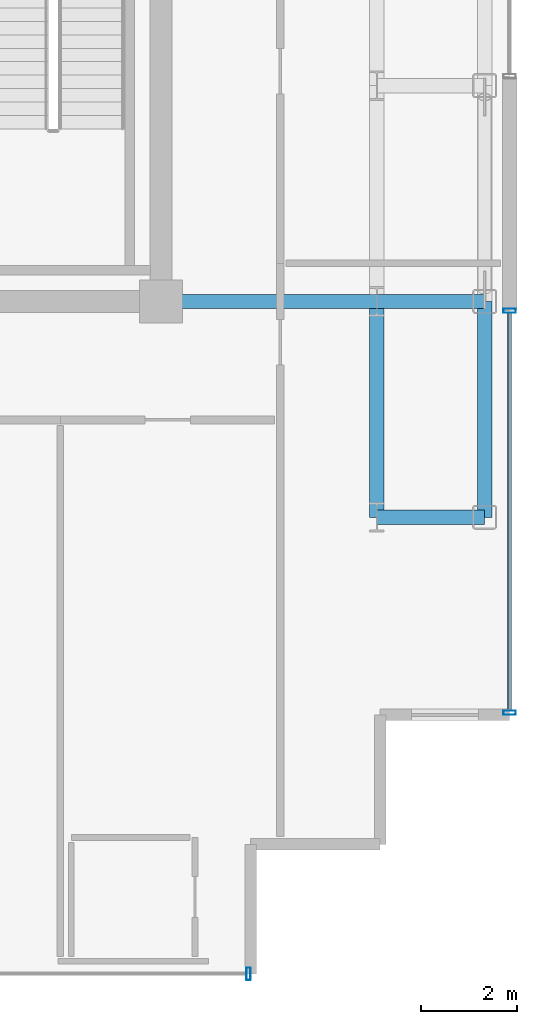
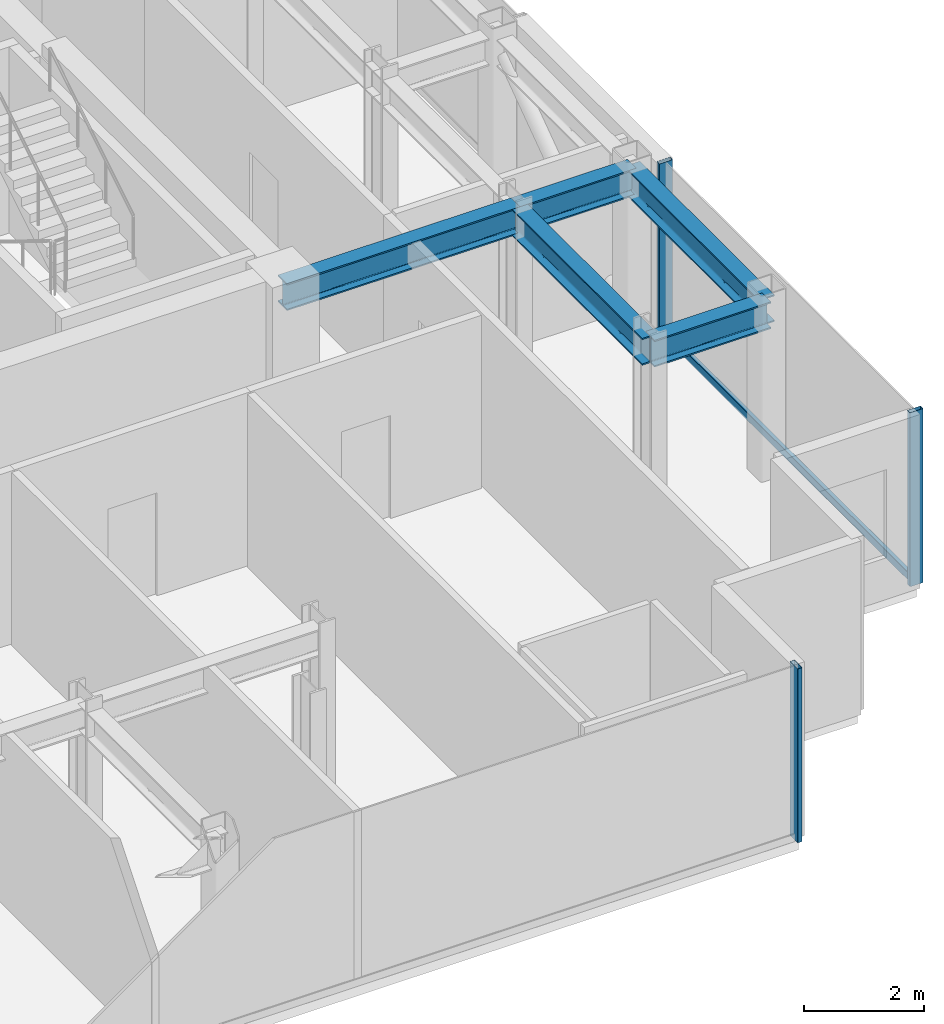
# One storey, part 5 of 16: 5 beams, 4 members, 2 elements without a shape of their own.
"""IFC4 building model written with IfcOpenShell, lengths in metres."""

from ifc_helpers import new_model, si_unit, direction, frame, origin, origin_2d, place, context, subcontext, project, spatial, hollow_rectangle, i_section, extrude, source, transform, mapped, material, layer, layer_set, material_profile, profile_set, type_object, element, aggregate, save


model = new_model("IFC4")

# Units and contexts
model_context = context("Model", 3, precision=1e-05, world=origin(), true_north=direction((0.0, 1.0)))
body_context = subcontext(model_context, "Body", "Model", "MODEL_VIEW")
ifc_project = project(units=[si_unit("LENGTHUNIT", "METRE"), si_unit("AREAUNIT", "SQUARE_METRE"), si_unit("VOLUMEUNIT", "CUBIC_METRE"), si_unit("PLANEANGLEUNIT", "RADIAN"), si_unit("MASSUNIT", "GRAM", prefix="KILO")], contexts=[model_context])

# Site, building, storey
site_placement = place(None, origin())
site = spatial("IfcSite", under=ifc_project, at=site_placement, CompositionType="ELEMENT")
building_placement = place(site_placement, origin())
building = spatial("IfcBuilding", under=site, at=building_placement, Name="Nefas-Gora Pilgrimage Tower", CompositionType="ELEMENT")
storey_placement = place(building_placement, frame((0.0, 0.0, 310.199951171875)))
storey = spatial("IfcBuildingStorey", under=building, at=storey_placement, Name="L78", CompositionType="ELEMENT", Elevation=310.199951171875)

# Beams
ifc_material_1 = material(Name="Steel S355", Category="steel")
ifc_material_profile_1 = material_profile(ifc_material_1, i_section(OverallWidth=0.300048828125, OverallDepth=0.550048828125, WebThickness=0.014892578125, FlangeThickness=0.029052734375, FilletRadius=0.027099609375, at=origin_2d()), Name="HEB 550")
ifc_profile_set_1 = profile_set([ifc_material_profile_1], Name="Steel S355")
beam_type_1 = type_object("IfcBeamType", Name="BM-SPN-HEB400", PredefinedType="SPANDREL", material=ifc_profile_set_1)
shared_shape_1 = source(origin(), body_context, "Body", "SweptSolid", [
    extrude(i_section(OverallWidth=0.300048828125, OverallDepth=0.550048828125, WebThickness=0.014892578125, FlangeThickness=0.029052734375, FilletRadius=0.027099609375, at=origin_2d()), origin(), (0.0, 0.0, 1.0), 4.5),
])
beam_placement = place(storey_placement, frame((18.0, -13.5, 3.275146484375), z_axis=(0.0, 1.0, 0.0), x_axis=(-1.0, 0.0, 0.0)))
element("IfcBeam", 1, at=beam_placement, inside=storey, type_object=beam_type_1, Name="L78 SP-04 beam", PredefinedType="SPANDREL", context=body_context, shape_type="MappedRepresentation", body=[
    mapped(shared_shape_1, transform((0.0, 0.0, 0.0), x_axis=(1.0, 0.0, 0.0), y_axis=(0.0, 1.0, 0.0), z_axis=(0.0, 0.0, 1.0), scale=1.0)),
])
ifc_material_profile_2 = material_profile(ifc_material_1, i_section(OverallWidth=0.300048828125, OverallDepth=0.550048828125, WebThickness=0.014892578125, FlangeThickness=0.029052734375, FilletRadius=0.027099609375, at=origin_2d()), Name="HEB 550")
ifc_profile_set_2 = profile_set([ifc_material_profile_2], Name="Steel S355")
beam_type_2 = type_object("IfcBeamType", Name="BM-GIR-HEB550", PredefinedType="BEAM", material=ifc_profile_set_2)
shared_shape_2 = source(origin(), body_context, "Body", "SweptSolid", [
    extrude(i_section(OverallWidth=0.300048828125, OverallDepth=0.550048828125, WebThickness=0.014892578125, FlangeThickness=0.029052734375, FilletRadius=0.027099609375, at=origin_2d()), origin(), (0.0, 0.0, 1.0), 4.5),
])
for number, where, z_axis, x_axis, name in (
    (2, (11.25, -9.0, 3.275146484375), (1.0, 0.0, 0.0), (0.0, 1.0, 0.0), "L78 G-05 beam"),
    (3, (15.75, -13.5, 3.275146484375), (0.0, 1.0, 0.0), (-1.0, 0.0, 0.0), "L78 G-05 beam"),
):
    element("IfcBeam", number, at=place(storey_placement, frame(where, z_axis=z_axis, x_axis=x_axis)), inside=storey, type_object=beam_type_2, Name=name, PredefinedType="BEAM", context=body_context, shape_type="MappedRepresentation", body=[
        mapped(shared_shape_2, transform((0.0, 0.0, 0.0), x_axis=(1.0, 0.0, 0.0), y_axis=(0.0, 1.0, 0.0), z_axis=(0.0, 0.0, 1.0), scale=1.0)),
    ])
shared_shape_3 = source(origin(), body_context, "Body", "SweptSolid", [
    extrude(i_section(OverallWidth=0.300048828125, OverallDepth=0.550048828125, WebThickness=0.014892578125, FlangeThickness=0.029052734375, FilletRadius=0.027099609375, at=origin_2d()), origin(), (0.0, 0.0, 1.0), 2.25),
])
for number, where, z_axis, x_axis, name in (
    (4, (15.75, -13.5, 3.275146484375), (1.0, 0.0, 0.0), (0.0, 1.0, 0.0), "L78 G-05 beam"),
    (5, (15.75, -9.0, 3.275146484375), (1.0, 0.0, 0.0), (0.0, 1.0, 0.0), "L78 G-05 beam"),
):
    element("IfcBeam", number, at=place(storey_placement, frame(where, z_axis=z_axis, x_axis=x_axis)), inside=storey, type_object=beam_type_2, Name=name, PredefinedType="BEAM", context=body_context, shape_type="MappedRepresentation", body=[
        mapped(shared_shape_3, transform((0.0, 0.0, 0.0), x_axis=(1.0, 0.0, 0.0), y_axis=(0.0, 1.0, 0.0), z_axis=(0.0, 0.0, 1.0), scale=1.0)),
    ])

# Curtain wall, members
ifc_material_2 = material(Name="Dark ceramic-fritted solar-control aluminium-glass curtain wall", Category="aluminium")
ifc_layer = layer(ifc_material_2, 0.219970703125)
ifc_layer_set = layer_set([ifc_layer], Name="Dark ceramic-fritted solar-control aluminium-glass curtain wall")
curtain_wall_type = type_object("IfcCurtainWallType", Name="CW-SYS-4", PredefinedType="NOTDEFINED", material=ifc_layer_set)
curtain_wall_1_placement = place(storey_placement, origin())
curtain_wall_1 = element("IfcCurtainWall", 6, at=curtain_wall_1_placement, inside=storey, type_object=curtain_wall_type, Name="L78 Unitised Curtain Wall CW4", PredefinedType="NOTDEFINED")
ifc_material_3 = material(Name="Anodised architectural aluminium", Category="aluminium")
ifc_material_profile_3 = material_profile(ifc_material_3, hollow_rectangle(XDim=0.080078125, YDim=0.159912109375, WallThickness=0.00439453125, InnerFilletRadius=0.00439453125, OuterFilletRadius=0.009033203125, at=origin_2d()), Name="ALU TRANSOM 80x160")
ifc_profile_set_3 = profile_set([ifc_material_profile_3], Name="Anodised architectural aluminium")
member_type_1 = type_object("IfcMemberType", Name="CWM-TRN-4", PredefinedType="USERDEFINED", material=ifc_profile_set_3)
shared_shape_4 = source(origin(), body_context, "Body", "SweptSolid", [
    extrude(hollow_rectangle(XDim=0.080078125, YDim=0.159912109375, WallThickness=0.00439453125, InnerFilletRadius=0.00439453125, OuterFilletRadius=0.009033203125, at=origin_2d()), origin(), (0.0, 0.0, 1.0), 8.2900390625),
])
member_1_placement = place(storey_placement, frame((18.52001953125, -17.530029296875, 0.050048828125), z_axis=(0.0, 1.0, 0.0), x_axis=(-1.0, 0.0, 0.0)))
member_1 = element("IfcMember", 7, at=member_1_placement, type_object=member_type_1, Name="CW4 Spandrel Transom", ObjectType="TRANSOM", PredefinedType="USERDEFINED", context=body_context, shape_type="MappedRepresentation", body=[
    mapped(shared_shape_4, transform((0.0, 0.0, 0.0), x_axis=(1.0, 0.0, 0.0), y_axis=(0.0, 1.0, 0.0), z_axis=(0.0, 0.0, 1.0), scale=1.0)),
])
ifc_material_profile_4 = material_profile(ifc_material_3, hollow_rectangle(XDim=0.090087890625, YDim=0.260009765625, WallThickness=0.006103515625, InnerFilletRadius=0.006103515625, OuterFilletRadius=0.011962890625, at=origin_2d()), Name="ALU MULLION 90x260")
ifc_profile_set_4 = profile_set([ifc_material_profile_4], Name="Anodised architectural aluminium")
member_type_2 = type_object("IfcMemberType", Name="CWM-MUL-4", PredefinedType="MULLION", material=ifc_profile_set_4)
shared_shape_5 = source(origin(), body_context, "Body", "SweptSolid", [
    extrude(hollow_rectangle(XDim=0.090087890625, YDim=0.260009765625, WallThickness=0.006103515625, InnerFilletRadius=0.006103515625, OuterFilletRadius=0.011962890625, at=origin_2d()), origin(), (0.0, 0.0, 1.0), 3.550048828125),
])
member_2_placement = place(storey_placement, frame((18.52001953125, -17.574951171875, 0.0), z_axis=(0.0, 0.0, 1.0), x_axis=(0.0, 1.0, 0.0)))
member_2 = element("IfcMember", 8, at=member_2_placement, type_object=member_type_2, Name="CW4 Mullion 1", PredefinedType="MULLION", context=body_context, shape_type="MappedRepresentation", body=[
    mapped(shared_shape_5, transform((0.0, 0.0, 0.0), x_axis=(1.0, 0.0, 0.0), y_axis=(0.0, 1.0, 0.0), z_axis=(0.0, 0.0, 1.0), scale=1.0)),
])
member_3_placement = place(storey_placement, frame((18.52001953125, -9.195068359375, 0.0), z_axis=(0.0, 0.0, 1.0), x_axis=(0.0, 1.0, 0.0)))
member_3 = element("IfcMember", 9, at=member_3_placement, type_object=member_type_2, Name="CW4 Mullion 2", PredefinedType="MULLION", context=body_context, shape_type="MappedRepresentation", body=[
    mapped(shared_shape_5, transform((0.0, 0.0, 0.0), x_axis=(1.0, 0.0, 0.0), y_axis=(0.0, 1.0, 0.0), z_axis=(0.0, 0.0, 1.0), scale=1.0)),
])
aggregate(curtain_wall_1, [member_2, member_3, member_1])

# Curtain wall, member
curtain_wall_2_placement = place(storey_placement, origin())
curtain_wall_2 = element("IfcCurtainWall", 10, at=curtain_wall_2_placement, inside=storey, type_object=curtain_wall_type, Name="L78 Unitised Curtain Wall CW4", PredefinedType="NOTDEFINED")
member_4_placement = place(storey_placement, frame((13.074951171875, -23.02001953125, 0.0), z_axis=(0.0, 0.0, 1.0), x_axis=(1.0, 0.0, 0.0)))
member_4 = element("IfcMember", 11, at=member_4_placement, type_object=member_type_2, Name="CW4 Mullion 2", PredefinedType="MULLION", context=body_context, shape_type="MappedRepresentation", body=[
    mapped(shared_shape_5, transform((0.0, 0.0, 0.0), x_axis=(1.0, 0.0, 0.0), y_axis=(0.0, 1.0, 0.0), z_axis=(0.0, 0.0, 1.0), scale=1.0)),
])
aggregate(curtain_wall_2, [member_4])

save(model, "model.ifc")
